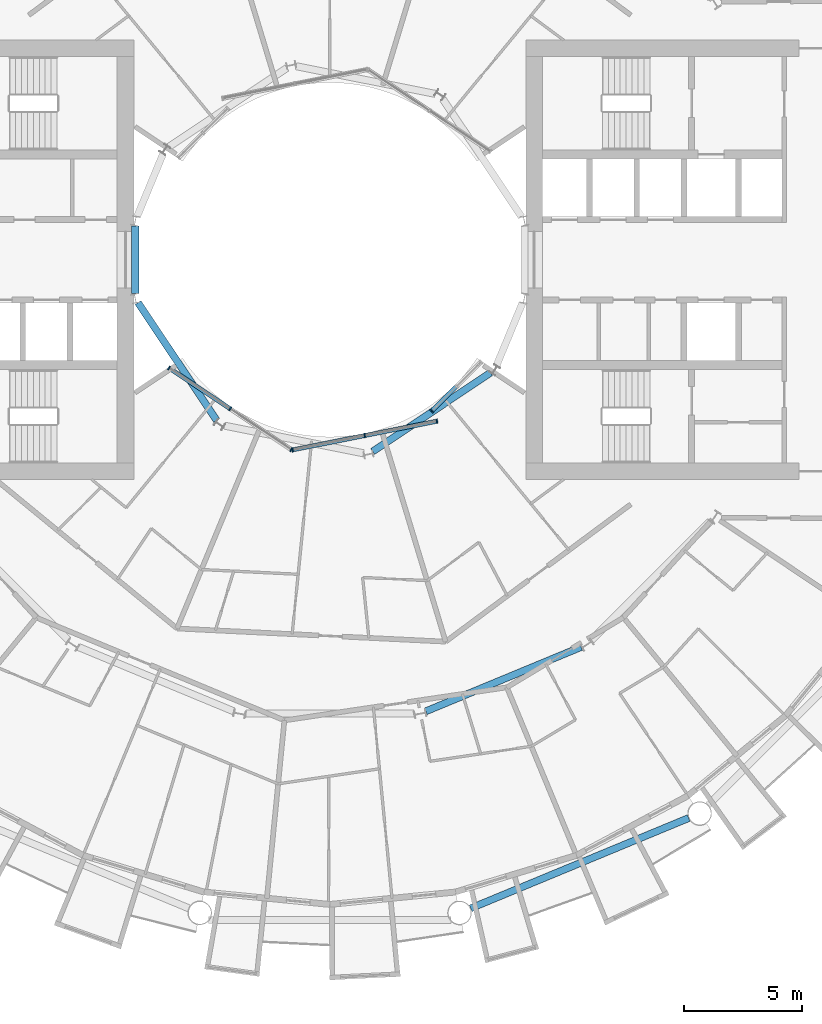
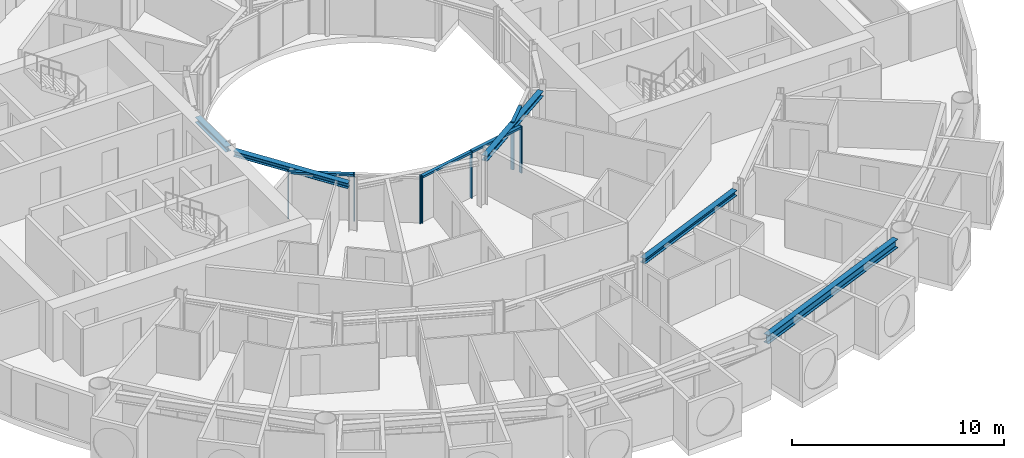
# One storey, part 5 of 26: 11 members, 5 beams, 3 elements without a shape of their own.
"""IFC4 building model written with IfcOpenShell, lengths in metres."""

from ifc_helpers import new_model, si_unit, direction, frame, origin, origin_2d, place, context, subcontext, project, spatial, rectangle, i_section, extrude, material, layer, layer_set, material_profile, profile_set, type_object, element, aggregate, save


model = new_model("IFC4")

# Units and contexts
model_context = context("Model", 3, precision=1e-05, world=origin(), true_north=direction((0.0, 1.0)))
body_context = subcontext(model_context, "Body", "Model", "MODEL_VIEW")
ifc_project = project(units=[si_unit("LENGTHUNIT", "METRE"), si_unit("AREAUNIT", "SQUARE_METRE"), si_unit("VOLUMEUNIT", "CUBIC_METRE"), si_unit("PLANEANGLEUNIT", "RADIAN"), si_unit("MASSUNIT", "GRAM", prefix="KILO")], contexts=[model_context])

# Site, building, storey
site_placement = place(None, origin())
site = spatial("IfcSite", under=ifc_project, at=site_placement, CompositionType="ELEMENT")
building_placement = place(site_placement, origin())
building = spatial("IfcBuilding", under=site, at=building_placement, Name="Maasbend Ring Residences", CompositionType="ELEMENT")
storey_placement = place(building_placement, frame((0.0, 0.0, 75.800048828125)))
storey = spatial("IfcBuildingStorey", under=building, at=storey_placement, Name="L21", CompositionType="ELEMENT", Elevation=75.800048828125)

# Curtain wall, members
ifc_material_1 = material(Name="Aluminium and clear glass", Category="aluminium")
ifc_layer = layer(ifc_material_1, 0.179931640625)
ifc_layer_set = layer_set([ifc_layer], Name="CW-W")
curtain_wall_type = type_object("IfcCurtainWallType", Name="CW-W", PredefinedType="NOTDEFINED", material=ifc_layer_set)
curtain_wall_1_placement = place(storey_placement, origin())
curtain_wall_1 = element("IfcCurtainWall", 1, at=curtain_wall_1_placement, inside=storey, type_object=curtain_wall_type, Name="Well curtain wall S1", PredefinedType="NOTDEFINED")
ifc_material_2 = material(Name="Aluminium 6063-T6", Category="aluminium")
ifc_material_profile_1 = material_profile(ifc_material_2, rectangle(XDim=0.179931640625, YDim=0.06005859375, at=origin_2d()), Name="AL 180x60")
ifc_profile_set_1 = profile_set([ifc_material_profile_1], Name="Aluminium 6063-T6")
member_type_1 = type_object("IfcMemberType", Name="CWM-W", PredefinedType="MULLION", material=ifc_profile_set_1)
member_1_placement = place(storey_placement, frame((-6.805908203125, -4.580810546875, 0.0), z_axis=(0.0, 0.0, 1.0), x_axis=(0.55557023302, 0.831469612303, 0.0)))
member_1 = element("IfcMember", 2, at=member_1_placement, type_object=member_type_1, Name="Mullion well face", PredefinedType="MULLION", context=body_context, shape_type="SweptSolid", body=[
    extrude(rectangle(XDim=0.179931640625, YDim=0.06005859375, at=origin_2d()), origin(), (0.0, 0.0, 1.0), 2.699951171875),
])
member_2_placement = place(storey_placement, frame((-4.216796875, -6.310791015625, 0.0), z_axis=(0.0, 0.0, 1.0), x_axis=(0.55557023302, 0.831469612303, 0.0)))
member_2 = element("IfcMember", 3, at=member_2_placement, type_object=member_type_1, Name="Mullion well face", PredefinedType="MULLION", context=body_context, shape_type="SweptSolid", body=[
    extrude(rectangle(XDim=0.179931640625, YDim=0.06005859375, at=origin_2d()), origin(), (0.0, 0.0, 1.0), 2.699951171875),
])
member_3_placement = place(storey_placement, frame((-1.627685546875, -8.040771484375, 0.0), z_axis=(0.0, 0.0, 1.0), x_axis=(0.55557023302, 0.831469612303, 0.0)))
member_3 = element("IfcMember", 4, at=member_3_placement, type_object=member_type_1, Name="Mullion well face", PredefinedType="MULLION", context=body_context, shape_type="SweptSolid", body=[
    extrude(rectangle(XDim=0.179931640625, YDim=0.06005859375, at=origin_2d()), origin(), (0.0, 0.0, 1.0), 2.699951171875),
])

curtain_wall_2_placement = place(storey_placement, origin())
curtain_wall_2 = element("IfcCurtainWall", 5, at=curtain_wall_2_placement, inside=storey, type_object=curtain_wall_type, Name="Well curtain wall S2", PredefinedType="NOTDEFINED")
member_4_placement = place(storey_placement, frame((-1.5732421875, -8.0517578125, 0.0), z_axis=(0.0, 0.0, 1.0), x_axis=(-0.195090322016, 0.980785280403, 0.0)))
member_4 = element("IfcMember", 6, at=member_4_placement, type_object=member_type_1, Name="Mullion well face", PredefinedType="MULLION", context=body_context, shape_type="SweptSolid", body=[
    extrude(rectangle(XDim=0.179931640625, YDim=0.06005859375, at=origin_2d()), origin(), (0.0, 0.0, 1.0), 2.699951171875),
])
member_5_placement = place(storey_placement, frame((1.480712890625, -7.444091796875, 0.0), z_axis=(0.0, 0.0, 1.0), x_axis=(-0.195090322016, 0.980785280403, 0.0)))
member_5 = element("IfcMember", 7, at=member_5_placement, type_object=member_type_1, Name="Mullion well face", PredefinedType="MULLION", context=body_context, shape_type="SweptSolid", body=[
    extrude(rectangle(XDim=0.179931640625, YDim=0.06005859375, at=origin_2d()), origin(), (0.0, 0.0, 1.0), 2.699951171875),
])
member_6_placement = place(storey_placement, frame((4.53466796875, -6.836669921875, 0.0), z_axis=(0.0, 0.0, 1.0), x_axis=(-0.195090322016, 0.980785280403, 0.0)))
member_6 = element("IfcMember", 8, at=member_6_placement, type_object=member_type_1, Name="Mullion well face", PredefinedType="MULLION", context=body_context, shape_type="SweptSolid", body=[
    extrude(rectangle(XDim=0.179931640625, YDim=0.06005859375, at=origin_2d()), origin(), (0.0, 0.0, 1.0), 2.699951171875),
])

# Curtain wall, member
curtain_wall_3_placement = place(storey_placement, origin())
curtain_wall_3 = element("IfcCurtainWall", 9, at=curtain_wall_3_placement, inside=storey, type_object=curtain_wall_type, Name="Well curtain wall S3", PredefinedType="NOTDEFINED")
member_7_placement = place(storey_placement, frame((4.320556640625, -6.413330078125, 0.0), z_axis=(0.0, 0.0, 1.0), x_axis=(-0.707106781187, 0.707106781187, 0.0)))
member_7 = element("IfcMember", 10, at=member_7_placement, type_object=member_type_1, Name="Mullion well face", PredefinedType="MULLION", context=body_context, shape_type="SweptSolid", body=[
    extrude(rectangle(XDim=0.179931640625, YDim=0.06005859375, at=origin_2d()), origin(), (0.0, 0.0, 1.0), 2.699951171875),
])

# Member
ifc_material_3 = material(Name="Aluminium 6063-T6", Category="aluminium")
ifc_material_profile_2 = material_profile(ifc_material_3, rectangle(XDim=0.179931640625, YDim=0.1201171875, at=origin_2d()), Name="AL 180x120")
ifc_profile_set_2 = profile_set([ifc_material_profile_2], Name="Aluminium 6063-T6")
member_type_2 = type_object("IfcMemberType", Name="CWT-W", PredefinedType="USERDEFINED", material=ifc_profile_set_2)
member_8_placement = place(storey_placement, frame((-6.781005859375, -4.59765625, 2.639892578125), z_axis=(0.831496422459, -0.555530106689, 0.0), x_axis=(0.555530106689, 0.831496422459, 0.0)))
member_8 = element("IfcMember", 11, at=member_8_placement, type_object=member_type_2, Name="Transom well face", ObjectType="TRANSOM", PredefinedType="USERDEFINED", context=body_context, shape_type="SweptSolid", body=[
    extrude(rectangle(XDim=0.179931640625, YDim=0.1201171875, at=origin_2d()), origin(), (0.0, 0.0, 1.0), 3.053955078125),
])

aggregate(curtain_wall_1, [member_1, member_2, member_3, member_8])

member_9_placement = place(storey_placement, frame((-1.5439453125, -8.0458984375, 2.639892578125), z_axis=(0.980776956105, 0.195132166424, 0.0), x_axis=(-0.195132166424, 0.980776956105, 0.0)))
member_9 = element("IfcMember", 12, at=member_9_placement, type_object=member_type_2, Name="Transom well face", ObjectType="TRANSOM", PredefinedType="USERDEFINED", context=body_context, shape_type="SweptSolid", body=[
    extrude(rectangle(XDim=0.179931640625, YDim=0.1201171875, at=origin_2d()), origin(), (0.0, 0.0, 1.0), 3.053955078125),
])

member_10_placement = place(storey_placement, frame((1.51025390625, -7.438232421875, 2.639892578125), z_axis=(0.980789210404, 0.19507056353, 0.0), x_axis=(-0.19507056353, 0.980789210404, 0.0)))
member_10 = element("IfcMember", 13, at=member_10_placement, type_object=member_type_2, Name="Transom well face", ObjectType="TRANSOM", PredefinedType="USERDEFINED", context=body_context, shape_type="SweptSolid", body=[
    extrude(rectangle(XDim=0.179931640625, YDim=0.1201171875, at=origin_2d()), origin(), (0.0, 0.0, 1.0), 3.0537109375),
])

aggregate(curtain_wall_2, [member_4, member_5, member_6, member_9, member_10])

member_11_placement = place(storey_placement, frame((4.341796875, -6.39208984375, 2.639892578125), z_axis=(0.707106781187, 0.707106781187, 0.0), x_axis=(-0.707106781187, 0.707106781187, 0.0)))
member_11 = element("IfcMember", 14, at=member_11_placement, type_object=member_type_2, Name="Transom well face", ObjectType="TRANSOM", PredefinedType="USERDEFINED", context=body_context, shape_type="SweptSolid", body=[
    extrude(rectangle(XDim=0.179931640625, YDim=0.1201171875, at=origin_2d()), origin(), (0.0, 0.0, 1.0), 1.419677734375),
])

aggregate(curtain_wall_3, [member_7, member_11])

# Beams
ifc_material_4 = material(Name="Steel S355J2", Category="steel")
ifc_material_profile_3 = material_profile(ifc_material_4, i_section(OverallWidth=0.300048828125, OverallDepth=0.300048828125, WebThickness=0.010986328125, FlangeThickness=0.01904296875, FilletRadius=0.027099609375, at=origin_2d()), Name="HEB 300")
ifc_profile_set_3 = profile_set([ifc_material_profile_3], Name="Steel S355J2")
beam_type_1 = type_object("IfcBeamType", Name="Corridor ring beam HEB 300", PredefinedType="BEAM", material=ifc_profile_set_3)
beam_1_placement = place(storey_placement, frame((4.070556640625, -19.12109375, 2.550048828125), z_axis=(0.923877113721, 0.382689271788, 0.0), x_axis=(-0.382689271788, 0.923877113721, 0.0)))
element("IfcBeam", 15, at=beam_1_placement, inside=storey, type_object=beam_type_1, Name="Corridor ring beam", PredefinedType="BEAM", context=body_context, shape_type="SweptSolid", body=[
    extrude(i_section(OverallWidth=0.300048828125, OverallDepth=0.300048828125, WebThickness=0.010986328125, FlangeThickness=0.01904296875, FilletRadius=0.027099609375, at=origin_2d()), origin(), (0.0, 0.0, 1.0), 7.11328125),
])
ifc_material_5 = material(Name="Steel S355J2", Category="steel")
ifc_material_profile_4 = material_profile(ifc_material_5, i_section(OverallWidth=0.300048828125, OverallDepth=0.5, WebThickness=0.014404296875, FlangeThickness=0.028076171875, FilletRadius=0.027099609375, at=origin_2d()), Name="HEB 500")
ifc_profile_set_4 = profile_set([ifc_material_profile_4], Name="Steel S355J2")
beam_type_2 = type_object("IfcBeamType", Name="Spandrel ring beam HEB 500", PredefinedType="SPANDREL", material=ifc_profile_set_4)
beam_2_placement = place(storey_placement, frame((5.970703125, -27.463623046875, 2.449951171875), z_axis=(0.923886337442, 0.382667003395, 0.0), x_axis=(-0.382667003395, 0.923886337442, 0.0)))
element("IfcBeam", 16, at=beam_2_placement, inside=storey, type_object=beam_type_2, Name="Spandrel ring beam", PredefinedType="SPANDREL", context=body_context, shape_type="SweptSolid", body=[
    extrude(i_section(OverallWidth=0.300048828125, OverallDepth=0.5, WebThickness=0.014404296875, FlangeThickness=0.028076171875, FilletRadius=0.027099609375, at=origin_2d()), origin(), (0.0, 0.0, 1.0), 9.9873046875),
])
ifc_material_6 = material(Name="Steel S355J2", Category="steel")
ifc_material_profile_5 = material_profile(ifc_material_6, i_section(OverallWidth=0.300048828125, OverallDepth=0.300048828125, WebThickness=0.010986328125, FlangeThickness=0.01904296875, FilletRadius=0.027099609375, at=origin_2d()), Name="HEB 300")
ifc_profile_set_5 = profile_set([ifc_material_profile_5], Name="Steel S355J2")
beam_type_3 = type_object("IfcBeamType", Name="Well edge beam HEB 300", PredefinedType="BEAM", material=ifc_profile_set_5)
beam_3_placement = place(storey_placement, frame((-8.238525390625, 1.434814453125, 2.550048828125), z_axis=(0.0, -1.0, 0.0), x_axis=(1.0, 0.0, 0.0)))
element("IfcBeam", 17, at=beam_3_placement, inside=storey, type_object=beam_type_3, Name="Well edge beam", PredefinedType="BEAM", context=body_context, shape_type="SweptSolid", body=[
    extrude(i_section(OverallWidth=0.300048828125, OverallDepth=0.300048828125, WebThickness=0.010986328125, FlangeThickness=0.01904296875, FilletRadius=0.027099609375, at=origin_2d()), origin(), (0.0, 0.0, 1.0), 2.86962890625),
])
for number, where, z_axis, x_axis, name in (
    (18, (-8.118408203125, -1.81884765625, 2.550048828125), (0.555592533493, -0.83145471117, 0.0), (0.83145471117, 0.555592533493, 0.0), "Well edge beam"),
    (19, (1.81884765625, -8.118408203125, 2.550048828125), (0.83145471117, 0.555592533493, 0.0), (-0.555592533493, 0.83145471117, 0.0), "Well edge beam"),
):
    element("IfcBeam", number, at=place(storey_placement, frame(where, z_axis=z_axis, x_axis=x_axis)), inside=storey, type_object=beam_type_3, Name=name, PredefinedType="BEAM", context=body_context, shape_type="SweptSolid", body=[
        extrude(i_section(OverallWidth=0.300048828125, OverallDepth=0.300048828125, WebThickness=0.010986328125, FlangeThickness=0.01904296875, FilletRadius=0.027099609375, at=origin_2d()), origin(), (0.0, 0.0, 1.0), 5.995849609375),
    ])

save(model, "model.ifc")
